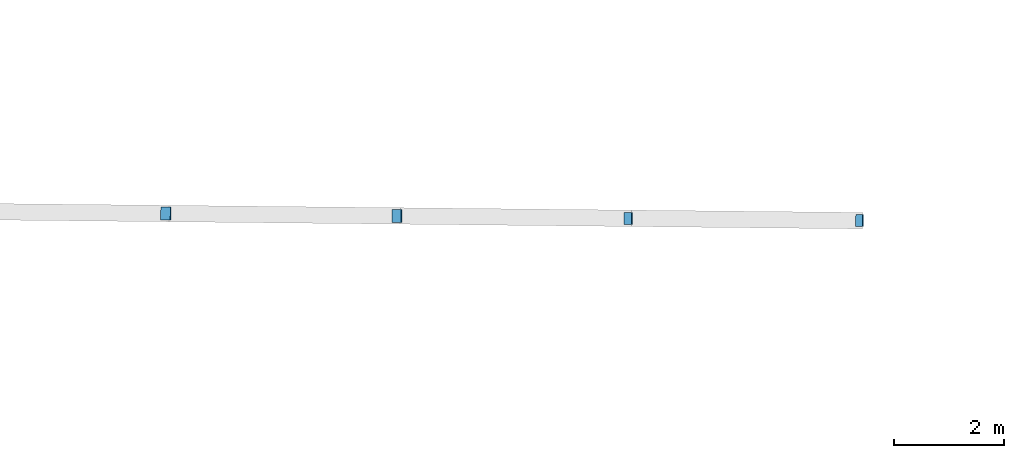
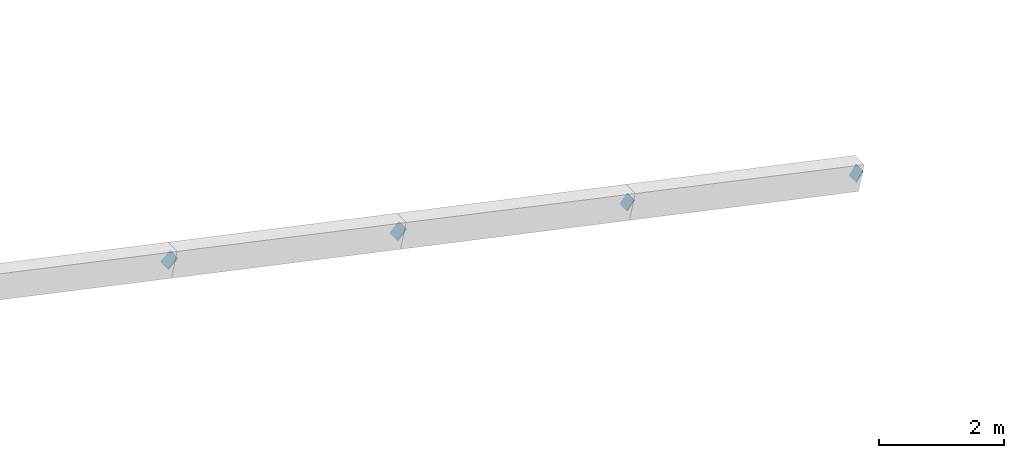
# One storey, part 139 of 188: 4 discrete accessories.
"""IFC4 building model written with IfcOpenShell, lengths in metres."""

from ifc_helpers import new_model, si_unit, direction, frame, origin, origin_2d, place, context, subcontext, project, spatial, rectangle, extrude, material, material_profile, profile_set, type_object, element, save


model = new_model("IFC4")

# Units and contexts
model_context = context("Model", 3, precision=1e-05, world=origin(), true_north=direction((0.0, 1.0)))
body_context = subcontext(model_context, "Body", "Model", "MODEL_VIEW")
ifc_project = project(units=[si_unit("LENGTHUNIT", "METRE"), si_unit("AREAUNIT", "SQUARE_METRE"), si_unit("VOLUMEUNIT", "CUBIC_METRE"), si_unit("PLANEANGLEUNIT", "RADIAN"), si_unit("MASSUNIT", "GRAM", prefix="KILO")], contexts=[model_context])

# Site, building, storey
site_placement = place(None, origin())
site = spatial("IfcSite", under=ifc_project, at=site_placement, CompositionType="ELEMENT")
building_placement = place(site_placement, origin())
building = spatial("IfcBuilding", under=site, at=building_placement, Name="Meseta Stadium", CompositionType="ELEMENT")
storey_placement = place(building_placement, frame((0.0, 0.0, 30.0)))
storey = spatial("IfcBuildingStorey", under=building, at=storey_placement, Name="ROOF", CompositionType="ELEMENT", Elevation=30.0)

# Discrete accessories
ifc_material_1 = material(Name="Steel S355", Category="steel")
ifc_material_profile_1 = material_profile(ifc_material_1, rectangle(XDim=0.219970703125, YDim=0.219970703125, at=origin_2d()), Name="PL 220x220")
ifc_profile_set_1 = profile_set([ifc_material_profile_1], Name="Steel S355")
discrete_accessory_type_1 = type_object("IfcDiscreteAccessoryType", Name="End plate 220x220x20", PredefinedType="ANCHORPLATE", material=ifc_profile_set_1)
for number, where, z_axis, x_axis, name in (
    (1, (-55.443603515625, 5.777587890625, 0.873291015625), (-0.828221974607, 0.012179734921, 0.560267806352), (-0.014704292442, -0.999891886048, 0.0), "End plate of ROOF TRUSS RT-32 diagonal"),
    (2, (-59.66552734375, 5.821044921875, 1.7578125), (-0.776114000116, 0.0, 0.630592625094), (0.0, -1.0, 0.0), "End plate of ROOF TRUSS RT-32 diagonal"),
):
    element("IfcDiscreteAccessory", number, at=place(storey_placement, frame(where, z_axis=z_axis, x_axis=x_axis)), inside=storey, type_object=discrete_accessory_type_1, Name=name, PredefinedType="ANCHORPLATE", context=body_context, shape_type="SweptSolid", body=[
        extrude(rectangle(XDim=0.219970703125, YDim=0.219970703125, at=origin_2d()), origin(), (0.0, 0.0, 1.0), 0.02001953125),
    ])
ifc_material_2 = material(Name="Steel S355", Category="steel")
ifc_material_profile_2 = material_profile(ifc_material_2, rectangle(XDim=0.239990234375, YDim=0.239990234375, at=origin_2d()), Name="PL 240x240")
ifc_profile_set_2 = profile_set([ifc_material_profile_2], Name="Steel S355")
discrete_accessory_type_2 = type_object("IfcDiscreteAccessoryType", Name="End plate 240x240x20", PredefinedType="ANCHORPLATE", material=ifc_profile_set_2)
for number, where, z_axis, x_axis, name in (
    (3, (-63.8876953125, 5.864501953125, 2.642333984375), (-0.731055268243, 0.0, 0.68231825036), (0.0, -1.0, 0.0), "End plate of ROOF TRUSS RT-32 diagonal"),
    (4, (-68.109619140625, 5.90771484375, 3.52685546875), (-0.68226760886, 0.012183350158, 0.731001009493), (-0.017854296417, -0.999840599345, 0.0), "End plate of ROOF TRUSS RT-32 diagonal"),
):
    element("IfcDiscreteAccessory", number, at=place(storey_placement, frame(where, z_axis=z_axis, x_axis=x_axis)), inside=storey, type_object=discrete_accessory_type_2, Name=name, PredefinedType="ANCHORPLATE", context=body_context, shape_type="SweptSolid", body=[
        extrude(rectangle(XDim=0.239990234375, YDim=0.239990234375, at=origin_2d()), origin(), (0.0, 0.0, 1.0), 0.02001953125),
    ])

save(model, "model.ifc")
